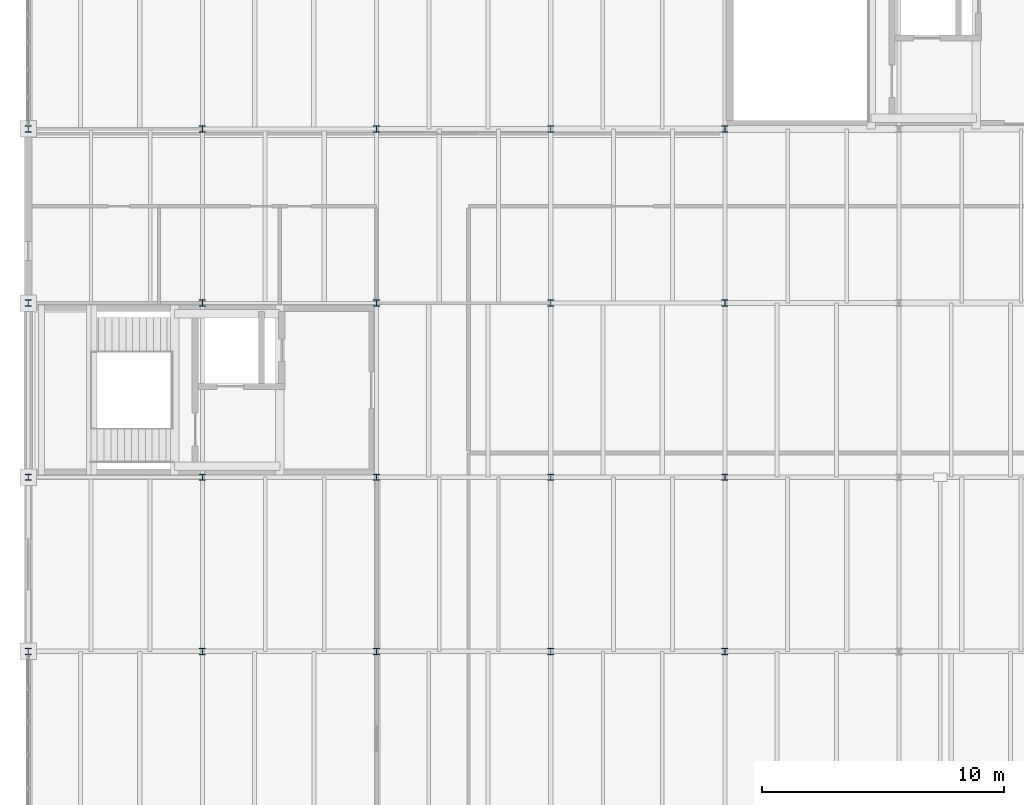
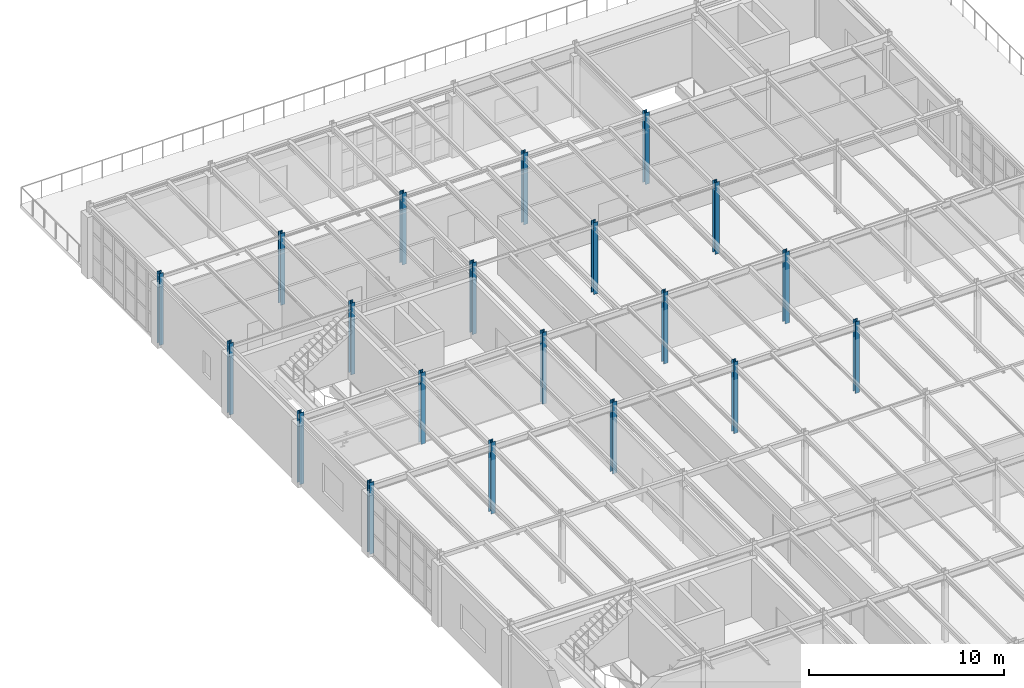
# One storey, part 4 of 36: 20 columns.
"""IFC4 building model written with IfcOpenShell, lengths in metres."""

import ifcopenshell
import ifcopenshell.guid

model = None  # the IFC model being written
_history = None  # IfcOwnerHistory: only IFC2X3 demands one
_inside = {}  # id of a spatial element -> (the spatial element, [elements in it])
_under = {}  # id of a project, library or spatial element -> (it, [spatial elements below it])
_declared = {}  # id of a project -> (the project, [libraries it declares])
_typed = {}  # id of a type object -> (the type object, [elements of that type])
_made_of = {}  # id of a material, layer set ... -> (it, [elements and type objects made of it])


def new_model(schema):
    """Start an empty IFC model of exactly this schema.

    Asked for "IFC4X3", IfcOpenShell would pick the latest addendum, in which some entities
    have other attributes; the version numbers below select the first issue.
    IFC2X3 requires an IfcOwnerHistory on every rooted entity: one is made here for all.
    """
    global model, _history
    if schema == "IFC4X3":
        model = ifcopenshell.file(schema_version=(4, 3, 0, 0))
    else:
        model = ifcopenshell.file(schema=schema)
    _inside.clear()
    _under.clear()
    _declared.clear()
    _typed.clear()
    _made_of.clear()
    _history = None
    if model.schema == "IFC2X3":
        org = make("IfcOrganization", Name="unknown")
        user = make(
            "IfcPersonAndOrganization",
            ThePerson=make("IfcPerson", FamilyName="unknown"),
            TheOrganization=org,
        )
        app = make(
            "IfcApplication",
            ApplicationDeveloper=org,
            Version="unknown",
            ApplicationFullName="unknown",
            ApplicationIdentifier="unknown",
        )
        _history = make(
            "IfcOwnerHistory",
            OwningUser=user,
            OwningApplication=app,
            ChangeAction="ADDED",
            CreationDate=0,
        )
    return model


def make(cls, **values):
    """One entity of the class cls with the attributes given. An attribute that is None is left unset."""
    return model.create_entity(
        cls, **{name: value for name, value in values.items() if value is not None}
    )


def rooted(cls, **values):
    """An entity with a GlobalId (a new one), such as an element, a storey or a relation."""
    return make(cls, GlobalId=ifcopenshell.guid.new(), OwnerHistory=_history, **values)


def si_unit(unit_type, name, prefix=None):
    """IfcSIUnit, for example si_unit("LENGTHUNIT", "METRE", prefix="MILLI")."""
    return make("IfcSIUnit", UnitType=unit_type, Prefix=prefix, Name=name)


def assignment(units):
    """IfcUnitAssignment: the units of a project."""
    return None if units is None else make("IfcUnitAssignment", Units=units)


def point(xyz):
    """IfcCartesianPoint."""
    return None if xyz is None else make("IfcCartesianPoint", Coordinates=xyz)


def direction(xyz):
    """IfcDirection."""
    return None if xyz is None else make("IfcDirection", DirectionRatios=xyz)


def frame(location, z_axis=None, x_axis=None):
    """IfcAxis2Placement3D, a coordinate frame: its origin and axes. An axis left out is left unset."""
    return make(
        "IfcAxis2Placement3D",
        Location=point(location),
        Axis=direction(z_axis),
        RefDirection=direction(x_axis),
    )


def frame_2d(location, x_axis=None):
    """IfcAxis2Placement2D, a coordinate frame in the plane: its origin and x axis."""
    return make(
        "IfcAxis2Placement2D", Location=point(location), RefDirection=direction(x_axis)
    )


def origin():
    """The frame at (0, 0, 0) with its axes left unset."""
    return frame((0.0, 0.0, 0.0))


def origin_2d():
    """The frame at (0, 0) in the plane with its x axis left unset."""
    return frame_2d((0.0, 0.0))


def place(relative_to, where):
    """IfcLocalPlacement: puts the frame where relative to a parent placement (None: the world)."""
    return make(
        "IfcLocalPlacement", PlacementRelTo=relative_to, RelativePlacement=where
    )


def context(
    kind, dimensions, precision=None, world=None, true_north=None, identifier=None
):
    """IfcGeometricRepresentationContext, for example the 3D "Model" context."""
    return make(
        "IfcGeometricRepresentationContext",
        ContextIdentifier=identifier,
        ContextType=kind,
        CoordinateSpaceDimension=dimensions,
        Precision=precision,
        WorldCoordinateSystem=world,
        TrueNorth=true_north,
    )


def subcontext(parent, identifier, kind, view, scale=None):
    """IfcGeometricRepresentationSubContext, for example "Body" below "Model"."""
    return make(
        "IfcGeometricRepresentationSubContext",
        ContextIdentifier=identifier,
        ContextType=kind,
        ParentContext=parent,
        TargetScale=scale,
        TargetView=view,
    )


def project(units=None, contexts=None):
    """IfcProject with its units and contexts."""
    return rooted(
        "IfcProject",
        Name="project",
        RepresentationContexts=contexts,
        UnitsInContext=assignment(units),
    )


def spatial(cls, under=None, at=None, **own):
    """A site, building, storey or space (cls), placed at a placement, below another one or the project."""
    s = rooted(cls, ObjectPlacement=at, **own)
    if under is not None:
        _under.setdefault(under.id(), (under, []))[1].append(s)
    return s


def profile(cls, at=None, kind="AREA", **sizes):
    """A parametric profile (cls). Its sizes go by their IFC names, for example OverallWidth=200.0."""
    return make(cls, ProfileType=kind, Position=at, **sizes)


def i_section(**sizes):
    """IfcIShapeProfileDef."""
    return profile("IfcIShapeProfileDef", **sizes)


def extrude(swept, where, along, depth):
    """IfcExtrudedAreaSolid: the profile swept, set in the frame where, extruded along a direction by depth."""
    return make(
        "IfcExtrudedAreaSolid",
        SweptArea=swept,
        Position=where,
        ExtrudedDirection=direction(along),
        Depth=depth,
    )


def shape(context_of_items, identifier, shape_type, items):
    """IfcShapeRepresentation: the items that make up one representation, for example the "Body"."""
    return make(
        "IfcShapeRepresentation",
        ContextOfItems=context_of_items,
        RepresentationIdentifier=identifier,
        RepresentationType=shape_type,
        Items=items,
    )


def material(Name=None, Category=None):
    """IfcMaterial."""
    return make("IfcMaterial", Name=Name, Category=Category)


def material_profile(
    of_material, cross_section, Name=None, Category=None, Priority=None
):
    """IfcMaterialProfile: a cross section and its material."""
    return make(
        "IfcMaterialProfile",
        Name=Name,
        Material=of_material,
        Profile=cross_section,
        Priority=Priority,
        Category=Category,
    )


def profile_set(profiles, Name=None, composite=None):
    """IfcMaterialProfileSet."""
    return make(
        "IfcMaterialProfileSet",
        Name=Name,
        MaterialProfiles=profiles,
        CompositeProfile=composite,
    )


def made_of(thing, what):
    """Note that an element or type object is made of a material, layer set ...; save() writes the relation."""
    if what is not None:
        _made_of.setdefault(what.id(), (what, []))[1].append(thing)
    return thing


def type_object(cls, material=None, **own):
    """A type object (cls), such as IfcWallType, which elements share."""
    return made_of(rooted(cls, **own), material)


def element(
    cls,
    number,
    at=None,
    inside=None,
    cuts=None,
    type_object=None,
    material=None,
    context=None,
    identifier="Body",
    shape_type=None,
    held_by="IfcProductDefinitionShape",
    body=None,
    shapes=None,
    **own,
):
    """One element of the class cls, such as IfcWall. Its Tag is "e" and its number.

    at: its placement. inside: the storey or other place that contains it. cuts: it is an
    opening in that element (IfcRelVoidsElement). A single representation is given by context,
    identifier, shape_type and body (its items); several are given by shapes. held_by: the class
    of the entity that holds the representations. save() writes the other relations.
    """
    e = rooted(cls, Tag="e%d" % number, ObjectPlacement=at, **own)
    if body is not None:
        shapes = [shape(context, identifier, shape_type, body)]
    if shapes is not None:
        e.Representation = make(held_by, Representations=shapes)
    if inside is not None:
        _inside.setdefault(inside.id(), (inside, []))[1].append(e)
    if cuts is not None:
        rooted(
            "IfcRelVoidsElement", RelatingBuildingElement=cuts, RelatedOpeningElement=e
        )
    if type_object is not None:
        _typed.setdefault(type_object.id(), (type_object, []))[1].append(e)
    return made_of(e, material)


def aggregate(whole, parts):
    """IfcRelAggregates: a whole, such as a stair, and the parts it consists of."""
    return rooted("IfcRelAggregates", RelatingObject=whole, RelatedObjects=parts)


def save(model, path):
    """Write the relations noted so far, then the file.

    IfcRelAggregates (storeys below a building ...), IfcRelContainedInSpatialStructure (elements
    in a storey), IfcRelDefinesByType, IfcRelAssociatesMaterial and IfcRelDeclares: one each for
    every whole, place, type object, material and project.
    """
    for whole, parts in _under.values():
        aggregate(whole, parts)
    for where, things in _inside.values():
        rooted(
            "IfcRelContainedInSpatialStructure",
            RelatedElements=things,
            RelatingStructure=where,
        )
    for kind, things in _typed.values():
        rooted("IfcRelDefinesByType", RelatedObjects=things, RelatingType=kind)
    for what, things in _made_of.values():
        rooted("IfcRelAssociatesMaterial", RelatedObjects=things, RelatingMaterial=what)
    for by, libraries in _declared.values():
        rooted("IfcRelDeclares", RelatingContext=by, RelatedDefinitions=libraries)
    model.write(path)


model = new_model("IFC4")

# Units and contexts
model_context = context("Model", 3, precision=1e-05, world=origin(), true_north=direction((0.0, 1.0)))
body_context = subcontext(model_context, "Body", "Model", "MODEL_VIEW")
ifc_project = project(units=[si_unit("LENGTHUNIT", "METRE"), si_unit("AREAUNIT", "SQUARE_METRE"), si_unit("VOLUMEUNIT", "CUBIC_METRE"), si_unit("PLANEANGLEUNIT", "RADIAN"), si_unit("MASSUNIT", "GRAM", prefix="KILO")], contexts=[model_context])

# Site, building, storey
site_placement = place(None, origin())
site = spatial("IfcSite", under=ifc_project, at=site_placement, CompositionType="ELEMENT")
building_placement = place(site_placement, origin())
building = spatial("IfcBuilding", under=site, at=building_placement, Name="Kemerveld Promenade Tramway Depot", CompositionType="ELEMENT")
storey_placement = place(building_placement, frame((0.0, 0.0, 14.39990234375)))
storey = spatial("IfcBuildingStorey", under=building, at=storey_placement, Name="L03", CompositionType="ELEMENT", Elevation=14.39990234375)

# Columns
ifc_material = material(Name="Steel S355", Category="steel")
ifc_material_profile = material_profile(ifc_material, i_section(OverallWidth=0.25634765625, OverallDepth=0.26025390625, WebThickness=0.01025390625, FlangeThickness=0.017333984375, FilletRadius=0.0126953125, at=origin_2d()), Name="254x254x89 UC")
ifc_profile_set = profile_set([ifc_material_profile], Name="Steel S355")
column_type = type_object("IfcColumnType", Name="COL-S08", PredefinedType="COLUMN", material=ifc_profile_set)
for number, where, z_axis, x_axis, name in (
    (1, (0.0, 36.0, 0.0), (0.0, 0.0, 1.0), (1.0, 0.0, 0.0), "COL-L03-01-F"),
    (2, (0.0, 43.199951171875, 0.0), (0.0, 0.0, 1.0), (1.0, 0.0, 0.0), "COL-L03-01-G"),
    (3, (0.0, 50.39990234375, 0.0), (0.0, 0.0, 1.0), (1.0, 0.0, 0.0), "COL-L03-01-H"),
    (4, (0.0, 57.60009765625, 0.0), (0.0, 0.0, 1.0), (1.0, 0.0, 0.0), "COL-L03-01-J"),
    (5, (7.199951171875, 36.0, 0.0), (0.0, 0.0, 1.0), (1.0, 0.0, 0.0), "COL-L03-02-F"),
    (6, (7.199951171875, 43.199951171875, 0.0), (0.0, 0.0, 1.0), (1.0, 0.0, 0.0), "COL-L03-02-G"),
    (7, (7.199951171875, 50.39990234375, 0.0), (0.0, 0.0, 1.0), (1.0, 0.0, 0.0), "COL-L03-02-H"),
    (8, (7.199951171875, 57.60009765625, 0.0), (0.0, 0.0, 1.0), (1.0, 0.0, 0.0), "COL-L03-02-J"),
    (9, (14.39990234375, 36.0, 0.0), (0.0, 0.0, 1.0), (1.0, 0.0, 0.0), "COL-L03-03-F"),
    (10, (14.39990234375, 43.199951171875, 0.0), (0.0, 0.0, 1.0), (1.0, 0.0, 0.0), "COL-L03-03-G"),
    (11, (14.39990234375, 50.39990234375, 0.0), (0.0, 0.0, 1.0), (1.0, 0.0, 0.0), "COL-L03-03-H"),
    (12, (14.39990234375, 57.60009765625, 0.0), (0.0, 0.0, 1.0), (1.0, 0.0, 0.0), "COL-L03-03-J"),
    (13, (21.60009765625, 36.0, 0.0), (0.0, 0.0, 1.0), (1.0, 0.0, 0.0), "COL-L03-04-F"),
    (14, (21.60009765625, 43.199951171875, 0.0), (0.0, 0.0, 1.0), (1.0, 0.0, 0.0), "COL-L03-04-G"),
    (15, (21.60009765625, 50.39990234375, 0.0), (0.0, 0.0, 1.0), (1.0, 0.0, 0.0), "COL-L03-04-H"),
    (16, (21.60009765625, 57.60009765625, 0.0), (0.0, 0.0, 1.0), (1.0, 0.0, 0.0), "COL-L03-04-J"),
    (17, (28.800048828125, 36.0, 0.0), (0.0, 0.0, 1.0), (1.0, 0.0, 0.0), "COL-L03-05-F"),
    (18, (28.800048828125, 43.199951171875, 0.0), (0.0, 0.0, 1.0), (1.0, 0.0, 0.0), "COL-L03-05-G"),
    (19, (28.800048828125, 50.39990234375, 0.0), (0.0, 0.0, 1.0), (1.0, 0.0, 0.0), "COL-L03-05-H"),
    (20, (28.800048828125, 57.60009765625, 0.0), (0.0, 0.0, 1.0), (1.0, 0.0, 0.0), "COL-L03-05-J"),
):
    element("IfcColumn", number, at=place(storey_placement, frame(where, z_axis=z_axis, x_axis=x_axis)), inside=storey, type_object=column_type, Name=name, PredefinedType="COLUMN", context=body_context, shape_type="SweptSolid", body=[
        extrude(i_section(OverallWidth=0.25634765625, OverallDepth=0.26025390625, WebThickness=0.01025390625, FlangeThickness=0.017333984375, FilletRadius=0.0126953125, at=origin_2d()), origin(), (0.0, 0.0, 1.0), 4.5),
    ])

save(model, "model.ifc")
